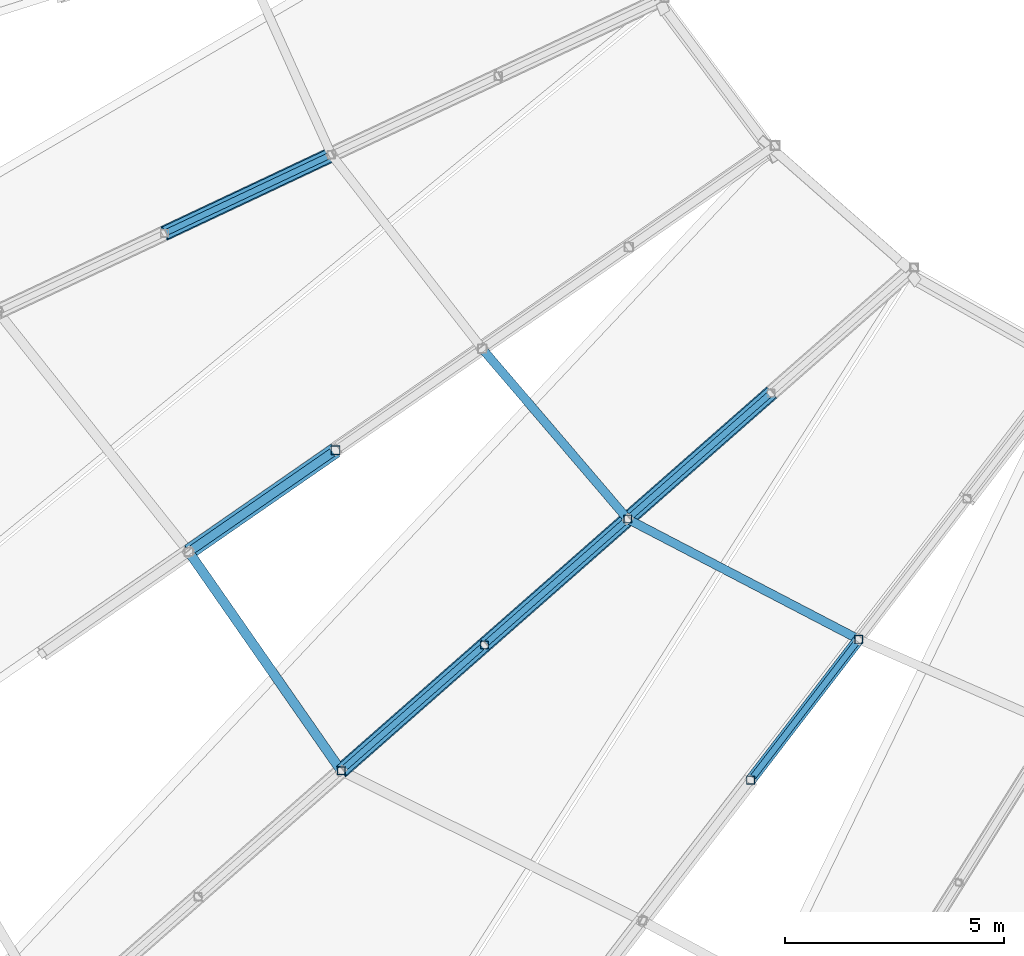
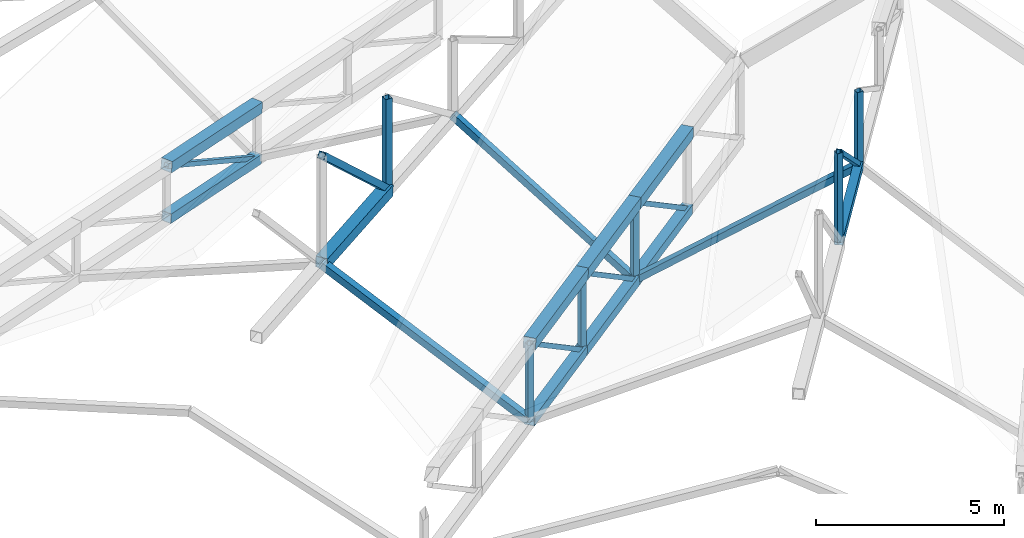
# One storey, part 20 of 344: 25 members.
"""IFC4 building model written with IfcOpenShell, lengths in metres."""

from ifc_helpers import new_model, si_unit, direction, frame, origin, origin_2d, place, context, subcontext, project, spatial, hollow_rectangle, extrude, material, material_profile, profile_set, type_object, element, save


model = new_model("IFC4")

# Units and contexts
model_context = context("Model", 3, precision=1e-05, world=origin(), true_north=direction((0.0, 1.0)))
body_context = subcontext(model_context, "Body", "Model", "MODEL_VIEW")
ifc_project = project(units=[si_unit("LENGTHUNIT", "METRE"), si_unit("AREAUNIT", "SQUARE_METRE"), si_unit("VOLUMEUNIT", "CUBIC_METRE"), si_unit("PLANEANGLEUNIT", "RADIAN"), si_unit("MASSUNIT", "GRAM", prefix="KILO")], contexts=[model_context])

# Site, building, storey
site_placement = place(None, origin())
site = spatial("IfcSite", under=ifc_project, at=site_placement, CompositionType="ELEMENT")
building_placement = place(site_placement, origin())
building = spatial("IfcBuilding", under=site, at=building_placement, Name="Meseta Stadium", CompositionType="ELEMENT")
storey_placement = place(building_placement, frame((0.0, 0.0, 24.0)))
storey = spatial("IfcBuildingStorey", under=building, at=storey_placement, Name="L04", CompositionType="ELEMENT", Elevation=24.0)

# Members
ifc_material_1 = material(Name="Steel S355", Category="steel")
ifc_material_profile_1 = material_profile(ifc_material_1, hollow_rectangle(XDim=0.139892578125, YDim=0.139892578125, WallThickness=0.0048828125, at=origin_2d()), Name="SHS 140x140x5")
ifc_profile_set_1 = profile_set([ifc_material_profile_1], Name="Steel S355")
member_type_1 = type_object("IfcMemberType", Name="SHS 140x140x5 diagonal", PredefinedType="BRACE", material=ifc_profile_set_1)
member_1_placement = place(storey_placement, frame((-51.738525390625, -59.17529296875, 3.377197265625), z_axis=(-0.804689480118, -0.379071151307, 0.456924395096), x_axis=(0.426159406887, -0.904648086231, 0.0)))
element("IfcMember", 1, at=member_1_placement, inside=storey, type_object=member_type_1, Name="ROOF TRUSS RT-39 diagonal", PredefinedType="BRACE", context=body_context, shape_type="SweptSolid", body=[
    extrude(hollow_rectangle(XDim=0.139892578125, YDim=0.139892578125, WallThickness=0.0048828125, at=origin_2d()), origin(), (0.0, 0.0, 1.0), 4.741455078125),
])
for number, where, z_axis, x_axis, name in (
    (2, (-41.68310546875, -64.63232421875, 1.5107421875), (-0.612525461727, -0.538281334019, 0.578848653953), (0.660115564574, -0.751164057585, 0.0), "ROOF TRUSS RT-41 diagonal"),
    (3, (-44.960205078125, -67.51220703125, 2.114013671875), (-0.612481902981, -0.538328789261, 0.578850613866), (0.660174887179, -0.751111921312, 0.0), "ROOF TRUSS RT-41 diagonal"),
):
    element("IfcMember", number, at=place(storey_placement, frame(where, z_axis=z_axis, x_axis=x_axis)), inside=storey, type_object=member_type_1, Name=name, PredefinedType="BRACE", context=body_context, shape_type="SweptSolid", body=[
        extrude(hollow_rectangle(XDim=0.139892578125, YDim=0.139892578125, WallThickness=0.0048828125, at=origin_2d()), origin(), (0.0, 0.0, 1.0), 5.35009765625),
    ])
member_2_placement = place(storey_placement, frame((-48.237060546875, -70.392333984375, 2.71728515625), z_axis=(-0.612494237842, -0.538299524981, 0.578864776969), x_axis=(0.660147138656, -0.751136309416, 0.0)))
element("IfcMember", 4, at=member_2_placement, inside=storey, type_object=member_type_1, Name="ROOF TRUSS RT-41 diagonal", PredefinedType="BRACE", context=body_context, shape_type="SweptSolid", body=[
    extrude(hollow_rectangle(XDim=0.139892578125, YDim=0.139892578125, WallThickness=0.0048828125, at=origin_2d()), origin(), (0.0, 0.0, 1.0), 5.350341796875),
])
member_3_placement = place(storey_placement, frame((-39.672607421875, -70.265380859375, 5.6474609375), z_axis=(-0.476488050649, -0.619697666977, 0.623645683968), x_axis=(0.792749139849, -0.609548030321, 0.0)))
element("IfcMember", 5, at=member_3_placement, inside=storey, type_object=member_type_1, Name="ROOF TRUSS RT-42 diagonal", PredefinedType="BRACE", context=body_context, shape_type="SweptSolid", body=[
    extrude(hollow_rectangle(XDim=0.139892578125, YDim=0.139892578125, WallThickness=0.0048828125, at=origin_2d()), origin(), (0.0, 0.0, 1.0), 5.194580078125),
])
ifc_material_2 = material(Name="Steel S355", Category="steel")
ifc_material_profile_2 = material_profile(ifc_material_2, hollow_rectangle(XDim=0.179931640625, YDim=0.179931640625, WallThickness=0.00634765625, at=origin_2d()), Name="SHS 180x180x6.3")
ifc_profile_set_2 = profile_set([ifc_material_profile_2], Name="Steel S355")
member_type_2 = type_object("IfcMemberType", Name="SHS 180x180x6.3 post", PredefinedType="POST", material=ifc_profile_set_2)
for number, where, z_axis, x_axis, name in (
    (6, (-44.960205078125, -67.51220703125, 2.114013671875), (0.0, 0.0, 1.0), (1.0, 0.0, 0.0), "ROOF TRUSS RT-41 post"),
    (7, (-48.237060546875, -70.392333984375, 2.71728515625), (0.0, 0.0, 1.0), (1.0, 0.0, 0.0), "ROOF TRUSS RT-41 post"),
    (8, (-51.51416015625, -73.2724609375, 3.32080078125), (0.0, 0.0, 1.0), (1.0, 0.0, 0.0), "ROOF TRUSS RT-41 post"),
):
    element("IfcMember", number, at=place(storey_placement, frame(where, z_axis=z_axis, x_axis=x_axis)), inside=storey, type_object=member_type_2, Name=name, PredefinedType="POST", context=body_context, shape_type="SweptSolid", body=[
        extrude(hollow_rectangle(XDim=0.179931640625, YDim=0.179931640625, WallThickness=0.00634765625, at=origin_2d()), origin(), (0.0, 0.0, 1.0), 2.49365234375),
    ])
member_4_placement = place(storey_placement, frame((-39.672607421875, -70.265380859375, 5.6474609375), z_axis=(0.0, 0.0, 1.0), x_axis=(1.0, 0.0, 0.0)))
element("IfcMember", 9, at=member_4_placement, inside=storey, type_object=member_type_2, Name="ROOF TRUSS RT-42 post", PredefinedType="POST", context=body_context, shape_type="SweptSolid", body=[
    extrude(hollow_rectangle(XDim=0.179931640625, YDim=0.179931640625, WallThickness=0.00634765625, at=origin_2d()), origin(), (0.0, 0.0, 1.0), 2.4033203125),
])
member_5_placement = place(storey_placement, frame((-42.147705078125, -73.484375, 5.981689453125), z_axis=(0.0, 0.0, 1.0), x_axis=(1.0, 0.0, 0.0)))
element("IfcMember", 10, at=member_5_placement, inside=storey, type_object=member_type_2, Name="ROOF TRUSS RT-42 post", PredefinedType="POST", context=body_context, shape_type="SweptSolid", body=[
    extrude(hollow_rectangle(XDim=0.179931640625, YDim=0.179931640625, WallThickness=0.00634765625, at=origin_2d()), origin(), (0.0, 0.0, 1.0), 2.9052734375),
])
ifc_material_3 = material(Name="Steel S355", Category="steel")
ifc_material_profile_3 = material_profile(ifc_material_3, hollow_rectangle(XDim=0.199951171875, YDim=0.199951171875, WallThickness=0.008056640625, at=origin_2d()), Name="SHS 200x200x8")
ifc_profile_set_3 = profile_set([ifc_material_profile_3], Name="Steel S355")
member_type_3 = type_object("IfcMemberType", Name="SHS 200x200x8 diagonal", PredefinedType="BRACE", material=ifc_profile_set_3)
member_6_placement = place(storey_placement, frame((-51.644775390625, -65.938720703125, 6.42578125), z_axis=(-0.610660288464, -0.42314763349, 0.669357970271), x_axis=(0.569558253619, -0.821950969179, 0.0)))
element("IfcMember", 11, at=member_6_placement, inside=storey, type_object=member_type_3, Name="ROOF TRUSS RT-40 diagonal", PredefinedType="BRACE", context=body_context, shape_type="SweptSolid", body=[
    extrude(hollow_rectangle(XDim=0.199951171875, YDim=0.199951171875, WallThickness=0.008056640625, at=origin_2d()), origin(), (0.0, 0.0, 1.0), 5.494384765625),
])
ifc_material_4 = material(Name="Steel S355", Category="steel")
ifc_material_profile_4 = material_profile(ifc_material_4, hollow_rectangle(XDim=0.199951171875, YDim=0.199951171875, WallThickness=0.008056640625, at=origin_2d()), Name="SHS 200x200x8")
ifc_profile_set_4 = profile_set([ifc_material_profile_4], Name="Steel S355")
member_type_4 = type_object("IfcMemberType", Name="SHS 200x200x8 post", PredefinedType="POST", material=ifc_profile_set_4)
member_7_placement = place(storey_placement, frame((-51.644775390625, -65.938720703125, 6.42578125), z_axis=(0.0, 0.0, 1.0), x_axis=(1.0, 0.0, 0.0)))
element("IfcMember", 12, at=member_7_placement, inside=storey, type_object=member_type_4, Name="ROOF TRUSS RT-40 post", PredefinedType="POST", context=body_context, shape_type="SweptSolid", body=[
    extrude(hollow_rectangle(XDim=0.199951171875, YDim=0.199951171875, WallThickness=0.008056640625, at=origin_2d()), origin(), (0.0, 0.0, 1.0), 2.97412109375),
])
ifc_material_5 = material(Name="Steel S355", Category="steel")
ifc_material_profile_5 = material_profile(ifc_material_5, hollow_rectangle(XDim=0.199951171875, YDim=0.199951171875, WallThickness=0.008056640625, at=origin_2d()), Name="SHS 200x200x8")
ifc_profile_set_5 = profile_set([ifc_material_profile_5], Name="Steel S355")
member_type_5 = type_object("IfcMemberType", Name="SHS 200x200x8 strut", PredefinedType="STRUT", material=ifc_profile_set_5)
member_8_placement = place(storey_placement, frame((-48.289794921875, -63.61376953125, 6.246826171875), z_axis=(0.505621410926, -0.592004889988, -0.62759636634), x_axis=(0.760405033979, 0.649449139116, 0.0)))
element("IfcMember", 13, at=member_8_placement, inside=storey, type_object=member_type_5, Name="ROOF TRUSS STRUT RT-40/41", PredefinedType="STRUT", context=body_context, shape_type="SweptSolid", body=[
    extrude(hollow_rectangle(XDim=0.199951171875, YDim=0.199951171875, WallThickness=0.008056640625, at=origin_2d()), origin(), (0.0, 0.0, 1.0), 6.585205078125),
])
member_9_placement = place(storey_placement, frame((-44.960205078125, -67.51220703125, 2.114013671875), z_axis=(0.763009011542, -0.397287497606, 0.509882234003), x_axis=(0.461831060545, 0.886967908955, 0.0)))
element("IfcMember", 14, at=member_9_placement, inside=storey, type_object=member_type_5, Name="ROOF TRUSS STRUT RT-41/42", PredefinedType="STRUT", context=body_context, shape_type="SweptSolid", body=[
    extrude(hollow_rectangle(XDim=0.199951171875, YDim=0.199951171875, WallThickness=0.008056640625, at=origin_2d()), origin(), (0.0, 0.0, 1.0), 6.929931640625),
])
ifc_material_6 = material(Name="Steel S355", Category="steel")
ifc_material_profile_6 = material_profile(ifc_material_6, hollow_rectangle(XDim=0.219970703125, YDim=0.219970703125, WallThickness=0.008056640625, at=origin_2d()), Name="SHS 220x220x8")
ifc_profile_set_6 = profile_set([ifc_material_profile_6], Name="Steel S355")
member_type_6 = type_object("IfcMemberType", Name="SHS 220x220x8 strut", PredefinedType="STRUT", material=ifc_profile_set_6)
member_10_placement = place(storey_placement, frame((-55.0, -68.263671875, 6.6044921875), z_axis=(0.50302407438, -0.722793242049, -0.473853046674), x_axis=(0.820792655364, 0.571226239681, 0.0)))
element("IfcMember", 15, at=member_10_placement, inside=storey, type_object=member_type_6, Name="ROOF TRUSS STRUT RT-40/41", PredefinedType="STRUT", context=body_context, shape_type="SweptSolid", body=[
    extrude(hollow_rectangle(XDim=0.219970703125, YDim=0.219970703125, WallThickness=0.008056640625, at=origin_2d()), origin(), (0.0, 0.0, 1.0), 6.9296875),
])
ifc_material_7 = material(Name="Steel S355", Category="steel")
ifc_material_profile_7 = material_profile(ifc_material_7, hollow_rectangle(XDim=0.25, YDim=0.25, WallThickness=0.010009765625, at=origin_2d()), Name="SHS 250x250x10")
ifc_profile_set_7 = profile_set([ifc_material_profile_7], Name="Steel S355")
member_type_7 = type_object("IfcMemberType", Name="SHS 250x250x10 bottom chord", PredefinedType="CHORD", material=ifc_profile_set_7)
member_11_placement = place(storey_placement, frame((-39.672607421875, -70.265380859375, 5.6474609375), z_axis=(-0.60749357764, -0.790077216531, 0.08203380428), x_axis=(0.792749139849, -0.609548030321, 0.0)))
element("IfcMember", 16, at=member_11_placement, inside=storey, type_object=member_type_7, Name="ROOF TRUSS RT-42 bottom chord", PredefinedType="CHORD", context=body_context, shape_type="SweptSolid", body=[
    extrude(hollow_rectangle(XDim=0.25, YDim=0.25, WallThickness=0.010009765625, at=origin_2d()), origin(), (0.0, 0.0, 1.0), 4.07421875),
])
ifc_material_8 = material(Name="Steel S355", Category="steel")
ifc_material_profile_8 = material_profile(ifc_material_8, hollow_rectangle(XDim=0.300048828125, YDim=0.300048828125, WallThickness=0.010009765625, at=origin_2d()), Name="SHS 300x300x10")
ifc_profile_set_8 = profile_set([ifc_material_profile_8], Name="Steel S355")
member_type_8 = type_object("IfcMemberType", Name="SHS 300x300x10 bottom chord", PredefinedType="CHORD", material=ifc_profile_set_8)
member_12_placement = place(storey_placement, frame((-51.738525390625, -59.17529296875, 3.377197265625), z_axis=(-0.898681317528, -0.423348596087, 0.114664099511), x_axis=(0.426159406887, -0.904648086231, 0.0)))
element("IfcMember", 17, at=member_12_placement, inside=storey, type_object=member_type_8, Name="ROOF TRUSS RT-39 bottom chord", PredefinedType="CHORD", context=body_context, shape_type="SweptSolid", body=[
    extrude(hollow_rectangle(XDim=0.300048828125, YDim=0.300048828125, WallThickness=0.010009765625, at=origin_2d()), origin(), (0.0, 0.0, 1.0), 4.24560546875),
])
for number, where, z_axis, x_axis, name in (
    (18, (-41.68310546875, -64.63232421875, 1.5107421875), (-0.744083842422, -0.653893541325, 0.136976173331), (0.660115564574, -0.751164057585, 0.0), "ROOF TRUSS RT-41 bottom chord"),
    (19, (-44.960205078125, -67.51220703125, 2.114013671875), (-0.744032126483, -0.653952242298, 0.136976857736), (0.660174887179, -0.751111921312, 0.0), "ROOF TRUSS RT-41 bottom chord"),
    (20, (-48.237060546875, -70.392333984375, 2.71728515625), (-0.744051221143, -0.653920305135, 0.137025599245), (0.660147138656, -0.751136309416, 0.0), "ROOF TRUSS RT-41 bottom chord"),
):
    element("IfcMember", number, at=place(storey_placement, frame(where, z_axis=z_axis, x_axis=x_axis)), inside=storey, type_object=member_type_8, Name=name, PredefinedType="CHORD", context=body_context, shape_type="SweptSolid", body=[
        extrude(hollow_rectangle(XDim=0.300048828125, YDim=0.300048828125, WallThickness=0.010009765625, at=origin_2d()), origin(), (0.0, 0.0, 1.0), 4.404296875),
    ])
ifc_material_9 = material(Name="Steel S355", Category="steel")
ifc_material_profile_9 = material_profile(ifc_material_9, hollow_rectangle(XDim=0.35009765625, YDim=0.35009765625, WallThickness=0.010009765625, at=origin_2d()), Name="SHS 350x350x10")
ifc_profile_set_9 = profile_set([ifc_material_profile_9], Name="Steel S355")
member_type_9 = type_object("IfcMemberType", Name="SHS 350x350x10 top chord", PredefinedType="CHORD", material=ifc_profile_set_9)
member_13_placement = place(storey_placement, frame((-51.738525390625, -59.17529296875, 5.056884765625), z_axis=(-0.898681317528, -0.423348596087, 0.114664099511), x_axis=(0.426159406887, -0.904648086231, 0.0)))
element("IfcMember", 21, at=member_13_placement, inside=storey, type_object=member_type_9, Name="ROOF TRUSS RT-39 top chord", PredefinedType="CHORD", context=body_context, shape_type="SweptSolid", body=[
    extrude(hollow_rectangle(XDim=0.35009765625, YDim=0.35009765625, WallThickness=0.010009765625, at=origin_2d()), origin(), (0.0, 0.0, 1.0), 4.24560546875),
])
for number, where, z_axis, x_axis, name in (
    (22, (-41.68310546875, -64.63232421875, 4.00439453125), (-0.744083842422, -0.653893541325, 0.136976173331), (0.660115564574, -0.751164057585, 0.0), "ROOF TRUSS RT-41 top chord"),
    (23, (-44.960205078125, -67.51220703125, 4.607666015625), (-0.744032126483, -0.653952242298, 0.136976857736), (0.660174887179, -0.751111921312, 0.0), "ROOF TRUSS RT-41 top chord"),
    (24, (-48.237060546875, -70.392333984375, 5.2109375), (-0.744051221143, -0.653920305135, 0.137025599245), (0.660147138656, -0.751136309416, 0.0), "ROOF TRUSS RT-41 top chord"),
):
    element("IfcMember", number, at=place(storey_placement, frame(where, z_axis=z_axis, x_axis=x_axis)), inside=storey, type_object=member_type_9, Name=name, PredefinedType="CHORD", context=body_context, shape_type="SweptSolid", body=[
        extrude(hollow_rectangle(XDim=0.35009765625, YDim=0.35009765625, WallThickness=0.010009765625, at=origin_2d()), origin(), (0.0, 0.0, 1.0), 4.404296875),
    ])
ifc_material_10 = material(Name="Steel S355", Category="steel")
ifc_material_profile_10 = material_profile(ifc_material_10, hollow_rectangle(XDim=0.35009765625, YDim=0.35009765625, WallThickness=0.01416015625, at=origin_2d()), Name="SHS 350x350x14.2")
ifc_profile_set_10 = profile_set([ifc_material_profile_10], Name="Steel S355")
member_type_10 = type_object("IfcMemberType", Name="SHS 350x350x14.2 bottom chord", PredefinedType="CHORD", material=ifc_profile_set_10)
member_14_placement = place(storey_placement, frame((-51.644775390625, -65.938720703125, 6.42578125), z_axis=(-0.821164388902, -0.569013204942, 0.043738072668), x_axis=(0.569558253619, -0.821950969179, 0.0)))
element("IfcMember", 25, at=member_14_placement, inside=storey, type_object=member_type_10, Name="ROOF TRUSS RT-40 bottom chord", PredefinedType="CHORD", context=body_context, shape_type="SweptSolid", body=[
    extrude(hollow_rectangle(XDim=0.35009765625, YDim=0.35009765625, WallThickness=0.01416015625, at=origin_2d()), origin(), (0.0, 0.0, 1.0), 4.0859375),
])

save(model, "model.ifc")
